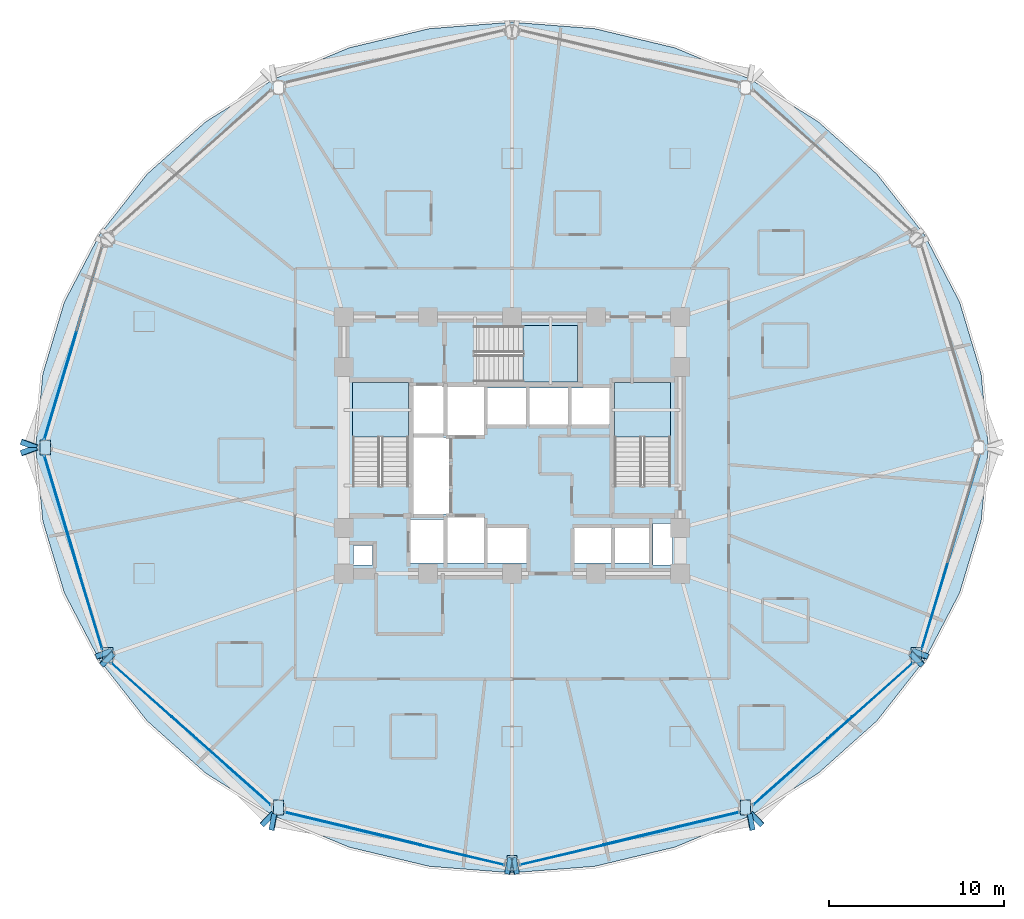
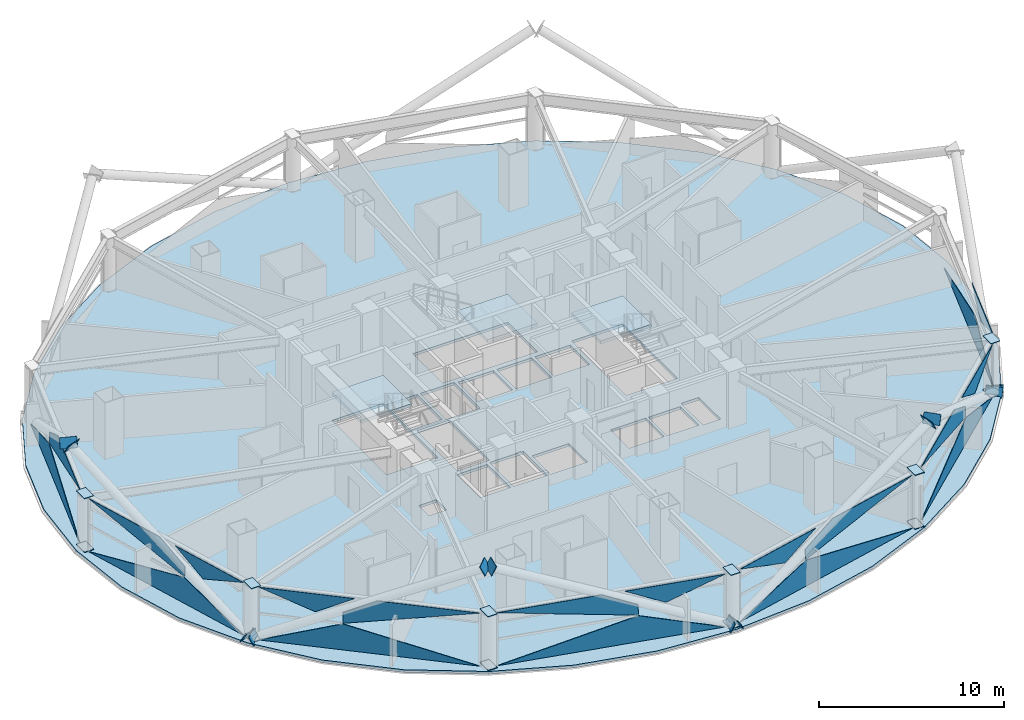
# One storey, part 21 of 30: 43 plates, 4 slabs, 10 elements without a shape of their own.
"""IFC4 building model written with IfcOpenShell, lengths in metres."""

from ifc_helpers import new_model, si_unit, direction, frame, origin, place, context, subcontext, project, spatial, polyline, outline, extrude, material, layer, layer_set, type_object, element, aggregate, save


model = new_model("IFC4")

# Units and contexts
model_context = context("Model", 3, precision=1e-05, world=origin(), true_north=direction((0.0, 1.0)))
body_context = subcontext(model_context, "Body", "Model", "MODEL_VIEW")
ifc_project = project(units=[si_unit("LENGTHUNIT", "METRE"), si_unit("AREAUNIT", "SQUARE_METRE"), si_unit("VOLUMEUNIT", "CUBIC_METRE"), si_unit("PLANEANGLEUNIT", "RADIAN"), si_unit("MASSUNIT", "GRAM", prefix="KILO")], contexts=[model_context])

# Site, building, storey
site_placement = place(None, origin())
site = spatial("IfcSite", under=ifc_project, at=site_placement, CompositionType="ELEMENT")
building_placement = place(site_placement, origin())
building = spatial("IfcBuilding", under=site, at=building_placement, Name="Vantalir Tower", CompositionType="ELEMENT")
storey_placement = place(building_placement, frame((0.0, 0.0, 49.5)))
storey = spatial("IfcBuildingStorey", under=building, at=storey_placement, Name="L11", CompositionType="ELEMENT", Elevation=49.5)

# Curtain wall, plates
ifc_material_1 = material(Name="Champagne-silver PVDF aluminium and double-silver Low-E glass", Category="aluminium")
ifc_layer_1 = layer(ifc_material_1, 0.18994140625)
ifc_layer_set_1 = layer_set([ifc_layer_1], Name="Champagne-silver PVDF aluminium and double-silver Low-E glass")
curtain_wall_type = type_object("IfcCurtainWallType", Name="CW-DIAMOND-Z1", PredefinedType="USERDEFINED", material=ifc_layer_set_1)
curtain_wall_1_placement = place(storey_placement, origin())
curtain_wall_1 = element("IfcCurtainWall", 1, at=curtain_wall_1_placement, inside=storey, type_object=curtain_wall_type, Name="L11 Quilted Pyramid-Diamond Curtain Wall S06", ObjectType="UNITISED CURTAIN WALL", PredefinedType="USERDEFINED")
ifc_material_2 = material(Name="Double-silver Low-E laminated glass IGU", Category="glass")
ifc_layer_2 = layer(ifc_material_2, 0.028076171875)
ifc_layer_set_2 = layer_set([ifc_layer_2], Name="Double-silver Low-E laminated glass IGU")
plate_type_1 = type_object("IfcPlateType", Name="CWP-IGU-28", PredefinedType="CURTAIN_PANEL", material=ifc_layer_set_2)
plate_1_placement = place(storey_placement, frame((8.12548828125, 36.49365234375, 0.046630859375), z_axis=(0.95758802022, -0.287810871385, 0.013787162279), x_axis=(-0.287837949678, -0.95767912908, -2.1198847e-05)))
plate_1 = element("IfcPlate", 2, at=plate_1_placement, type_object=plate_type_1, Name="CW-L11-S06 Pyramid Diamond Facet 1L", PredefinedType="CURTAIN_PANEL", context=body_context, shape_type="SweptSolid", body=[
    extrude(outline(polyline([(0.0, 0.0), (11.516693368469967, -4.960224939121183e-18), (4.3822184839677, -1.7268195281423935), (0.0, 0.0)])), origin(), (0.0, 0.0, -1.0), 0.028076171875),
])
plate_2_placement = place(storey_placement, frame((6.328369140625, 30.51416015625, 3.5234375), z_axis=(-0.957583801933, 0.287822602548, 0.01383516313), x_axis=(-0.2878495389, -0.957675644888, 4.6306967e-05)))
plate_2 = element("IfcPlate", 3, at=plate_2_placement, type_object=plate_type_1, Name="CW-L11-S06 Pyramid Diamond Facet 2U", PredefinedType="CURTAIN_PANEL", context=body_context, shape_type="SweptSolid", body=[
    extrude(outline(polyline([(0.0, 0.0), (5.272979411255292, 1.1384122811097797e-18), (-1.861538546736312, -1.7268857212815554), (-1.8615353364615557, -1.0459123062447386), (0.0, 0.0)])), origin(), (0.0, 0.0, -1.0), 0.028076171875),
])
aggregate(curtain_wall_1, [plate_1, plate_2])

curtain_wall_2_placement = place(storey_placement, origin())
curtain_wall_2 = element("IfcCurtainWall", 4, at=curtain_wall_2_placement, inside=storey, type_object=curtain_wall_type, Name="L11 Quilted Pyramid-Diamond Curtain Wall S07", ObjectType="UNITISED CURTAIN WALL", PredefinedType="USERDEFINED")
plate_3_placement = place(storey_placement, frame((4.810546875, 24.53564453125, 0.04638671875), z_axis=(0.95758802022, 0.287810871385, 0.013787162279), x_axis=(0.287837949678, -0.95767912908, 2.1198847e-05)))
plate_3 = element("IfcPlate", 5, at=plate_3_placement, type_object=plate_type_1, Name="CW-L11-S07 Pyramid Diamond Facet 1L", PredefinedType="CURTAIN_PANEL", context=body_context, shape_type="SweptSolid", body=[
    extrude(outline(polyline([(0.0, 0.0), (11.516693368469967, 4.960224939121183e-18), (7.134474884502269, -1.7268195281423935), (0.0, 0.0)])), origin(), (0.0, 0.0, -1.0), 0.028076171875),
])
plate_4_placement = place(storey_placement, frame((4.810546875, 24.53564453125, 3.523681640625), z_axis=(-0.957583801933, -0.287822602548, 0.01383516313), x_axis=(0.2878495389, -0.957675644888, -4.6306967e-05)))
plate_4 = element("IfcPlate", 6, at=plate_4_placement, type_object=plate_type_1, Name="CW-L11-S07 Pyramid Diamond Facet 2U", PredefinedType="CURTAIN_PANEL", context=body_context, shape_type="SweptSolid", body=[
    extrude(outline(polyline([(0.0, 0.0), (5.272979411255292, -1.1384122811097797e-18), (7.134514747716848, -1.0459123062447386), (7.134517957991605, -1.7268857212815554), (0.0, 0.0)])), origin(), (0.0, 0.0, -1.0), 0.028076171875),
])
plate_5_placement = place(storey_placement, frame((6.64404296875, 18.32373046875, 3.52392578125), z_axis=(-0.957588191156, -0.28780925806, 0.01380895121), x_axis=(0.287836702746, -0.957679504089, 0.0)))
plate_5 = element("IfcPlate", 7, at=plate_5_placement, type_object=plate_type_1, Name="CW-L11-S07 Pyramid Diamond Facet 2U Infill Light", PredefinedType="CURTAIN_PANEL", context=body_context, shape_type="SweptSolid", body=[
    extrude(outline(polyline([(0.0, 0.0), (5.039953487196752, 0.0), (2.0774181059940315, -1.1673476325182721), (0.0, 0.0)])), origin(), (0.0, 0.0, -1.0), 0.028076171875),
])
aggregate(curtain_wall_2, [plate_3, plate_4, plate_5])

curtain_wall_3_placement = place(storey_placement, origin())
curtain_wall_3 = element("IfcCurtainWall", 8, at=curtain_wall_3_placement, inside=storey, type_object=curtain_wall_type, Name="L11 Quilted Pyramid-Diamond Curtain Wall S08", ObjectType="UNITISED CURTAIN WALL", PredefinedType="USERDEFINED")
plate_6_placement = place(storey_placement, frame((8.626953125, 12.71923828125, 0.046630859375), z_axis=(0.665372937619, 0.746388040271, 0.01355533931), x_axis=(0.746456803677, -0.665433873381, -2.0035344e-05)))
plate_6 = element("IfcPlate", 9, at=plate_6_placement, type_object=plate_type_1, Name="CW-L11-S08 Pyramid Diamond Facet 1L", PredefinedType="CURTAIN_PANEL", context=body_context, shape_type="SweptSolid", body=[
    extrude(outline(polyline([(0.0, 0.0), (12.185497165828616, -1.2088854223213374e-17), (4.632465465344607, -1.7270581323679652), (0.0, 0.0)])), origin(), (0.0, 0.0, -1.0), 0.028076171875),
])
plate_7_placement = place(storey_placement, frame((13.499267578125, 8.3759765625, 3.523681640625), z_axis=(-0.665395031362, -0.746366235789, 0.013670929477), x_axis=(0.746435992054, -0.665457218584, 7.5259e-08)))
plate_7 = element("IfcPlate", 10, at=plate_7_placement, type_object=plate_type_1, Name="CW-L11-S08 Pyramid Diamond Facet 2U", PredefinedType="CURTAIN_PANEL", context=body_context, shape_type="SweptSolid", body=[
    extrude(outline(polyline([(0.0, 0.0), (5.65837142206165, 0.0), (-1.894625072008797, -1.7274562127020272), (-1.8947608539828198, -1.020846784373195), (0.0, 0.0)])), origin(), (0.0, 0.0, -1.0), 0.028076171875),
])
plate_8_placement = place(storey_placement, frame((8.605712890625, 12.6953125, 3.52392578125), z_axis=(-0.665351507979, -0.746407449705, 0.013538458388), x_axis=(0.746475863566, -0.665412492453, 0.0)))
plate_8 = element("IfcPlate", 11, at=plate_8_placement, type_object=plate_type_1, Name="CW-L11-S08 Pyramid Diamond Facet 2U Infill Light", PredefinedType="CURTAIN_PANEL", context=body_context, shape_type="SweptSolid", body=[
    extrude(outline(polyline([(0.0, 0.0), (5.285578319672261, 0.0), (3.1237193044857783, -1.1646575210956889), (0.0, 0.0)])), origin(), (0.0, 0.0, -1.0), 0.028076171875),
])
aggregate(curtain_wall_3, [plate_6, plate_7, plate_8])

curtain_wall_4_placement = place(storey_placement, origin())
curtain_wall_4 = element("IfcCurtainWall", 12, at=curtain_wall_4_placement, inside=storey, type_object=curtain_wall_type, Name="L11 Quilted Pyramid-Diamond Curtain Wall S09", ObjectType="UNITISED CURTAIN WALL", PredefinedType="USERDEFINED")
plate_9_placement = place(storey_placement, frame((18.556640625, 4.17529296875, 0.046142578125), z_axis=(0.232285713853, 0.972551192562, 0.013693976268), x_axis=(0.972642333461, -0.232307750187, 1.9040058e-05)))
plate_9 = element("IfcPlate", 13, at=plate_9_placement, type_object=plate_type_1, Name="CW-L11-S09 Pyramid Diamond Facet 1L", PredefinedType="CURTAIN_PANEL", context=body_context, shape_type="SweptSolid", body=[
    extrude(outline(polyline([(0.0, 0.0), (12.822472617576965, -7.670730370334944e-18), (7.9437987635103235, -1.7275497993928277), (0.0, 0.0)])), origin(), (0.0, 0.0, -1.0), 0.028076171875),
])
plate_10_placement = place(storey_placement, frame((18.556640625, 4.17529296875, 3.523681640625), z_axis=(-0.232292534661, -0.972549302658, 0.013712484807), x_axis=(0.97264075152, -0.232314374248, 2.05094e-07)))
plate_10 = element("IfcPlate", 14, at=plate_10_placement, type_object=plate_type_1, Name="CW-L11-S09 Pyramid Diamond Facet 2U", PredefinedType="CURTAIN_PANEL", context=body_context, shape_type="SweptSolid", body=[
    extrude(outline(polyline([(0.0, 0.0), (5.8949021910664525, 0.0), (7.943804426634692, -1.0433126126655532), (7.943765679126243, -1.7277019221765757), (0.0, 0.0)])), origin(), (0.0, 0.0, -1.0), 0.028076171875),
])
plate_11_placement = place(storey_placement, frame((25.547607421875, 2.47265625, 3.524169921875), z_axis=(-0.232260966211, -0.97255739166, 0.01367345977), x_axis=(0.972648182055, -0.232283258251, -4.3384994e-05)))
plate_11 = element("IfcPlate", 15, at=plate_11_placement, type_object=plate_type_1, Name="CW-L11-S09 Pyramid Diamond Facet 2U Infill Light", PredefinedType="CURTAIN_PANEL", context=body_context, shape_type="SweptSolid", body=[
    extrude(outline(polyline([(0.0, 0.0), (5.6273057132671, -4.607859233063394e-19), (2.3081248364915905, -1.1753027063647365), (0.0, 0.0)])), origin(), (0.0, 0.0, -1.0), 0.028076171875),
])
aggregate(curtain_wall_4, [plate_9, plate_10, plate_11])

curtain_wall_5_placement = place(storey_placement, origin())
curtain_wall_5 = element("IfcCurtainWall", 16, at=curtain_wall_5_placement, inside=storey, type_object=curtain_wall_type, Name="L11 Quilted Pyramid-Diamond Curtain Wall S10", ObjectType="UNITISED CURTAIN WALL", PredefinedType="USERDEFINED")
plate_12_placement = place(storey_placement, frame((31.9716796875, 1.196533203125, 0.04638671875), z_axis=(-0.232285713853, 0.972551192562, 0.013693976268), x_axis=(0.972642333461, 0.232307750187, -1.9040058e-05)))
plate_12 = element("IfcPlate", 17, at=plate_12_placement, type_object=plate_type_1, Name="CW-L11-S10 Pyramid Diamond Facet 1L", PredefinedType="CURTAIN_PANEL", context=body_context, shape_type="SweptSolid", body=[
    extrude(outline(polyline([(0.0, 0.0), (12.822472617576965, 7.670730370334944e-18), (4.8786738540666414, -1.727549799392828), (0.0, 0.0)])), origin(), (0.0, 0.0, -1.0), 0.028076171875),
])
plate_13_placement = place(storey_placement, frame((38.709716796875, 2.805908203125, 3.523681640625), z_axis=(0.232292534661, -0.972549302658, 0.013712484807), x_axis=(0.97264075152, 0.232314374248, -2.05094e-07)))
plate_13 = element("IfcPlate", 18, at=plate_13_placement, type_object=plate_type_1, Name="CW-L11-S10 Pyramid Diamond Facet 2U", PredefinedType="CURTAIN_PANEL", context=body_context, shape_type="SweptSolid", body=[
    extrude(outline(polyline([(0.0, 0.0), (5.8949021910664525, 0.0), (-2.048863488059791, -1.7277019221765757), (-2.0489022355682396, -1.0433126126655532), (0.0, 0.0)])), origin(), (0.0, 0.0, -1.0), 0.028076171875),
])
plate_14_placement = place(storey_placement, frame((31.97900390625, 1.16552734375, 3.52392578125), z_axis=(0.232260966211, -0.97255739166, 0.01367345977), x_axis=(0.972648182055, 0.232283258251, 4.3384994e-05)))
plate_14 = element("IfcPlate", 19, at=plate_14_placement, type_object=plate_type_1, Name="CW-L11-S10 Pyramid Diamond Facet 2U Infill Light", PredefinedType="CURTAIN_PANEL", context=body_context, shape_type="SweptSolid", body=[
    extrude(outline(polyline([(0.0, 0.0), (5.6273057132671, 4.607859233063394e-19), (3.31918087677551, -1.1753027063647363), (0.0, 0.0)])), origin(), (0.0, 0.0, -1.0), 0.028076171875),
])
aggregate(curtain_wall_5, [plate_12, plate_13, plate_14])

curtain_wall_6_placement = place(storey_placement, origin())
curtain_wall_6 = element("IfcCurtainWall", 20, at=curtain_wall_6_placement, inside=storey, type_object=curtain_wall_type, Name="L11 Quilted Pyramid-Diamond Curtain Wall S11", ObjectType="UNITISED CURTAIN WALL", PredefinedType="USERDEFINED")
plate_15_placement = place(storey_placement, frame((45.277099609375, 4.610595703125, 0.04638671875), z_axis=(-0.665372937619, 0.746388040271, 0.01355533931), x_axis=(0.746456803677, 0.665433873381, 2.0035344e-05)))
plate_15 = element("IfcPlate", 21, at=plate_15_placement, type_object=plate_type_1, Name="CW-L11-S11 Pyramid Diamond Facet 1L", PredefinedType="CURTAIN_PANEL", context=body_context, shape_type="SweptSolid", body=[
    extrude(outline(polyline([(0.0, 0.0), (12.185497165828616, 1.2088854223213374e-17), (7.553031700484008, -1.7270581323679652), (0.0, 0.0)])), origin(), (0.0, 0.0, -1.0), 0.028076171875),
])
plate_16_placement = place(storey_placement, frame((45.277099609375, 4.610595703125, 3.523681640625), z_axis=(0.665395031362, -0.746366235789, 0.013670929477), x_axis=(0.746435992054, 0.665457218584, -7.5259e-08)))
plate_16 = element("IfcPlate", 22, at=plate_16_placement, type_object=plate_type_1, Name="CW-L11-S11 Pyramid Diamond Facet 2U", PredefinedType="CURTAIN_PANEL", context=body_context, shape_type="SweptSolid", body=[
    extrude(outline(polyline([(0.0, 0.0), (5.65837142206165, 0.0), (7.5531322760444715, -1.020846784373195), (7.552996494070449, -1.7274562127020272), (0.0, 0.0)])), origin(), (0.0, 0.0, -1.0), 0.028076171875),
])
plate_17_placement = place(storey_placement, frame((50.44873046875, 9.17822265625, 3.52392578125), z_axis=(0.665351507979, -0.746407449705, 0.013538458388), x_axis=(0.746475863566, 0.665412492453, 0.0)))
plate_17 = element("IfcPlate", 23, at=plate_17_placement, type_object=plate_type_1, Name="CW-L11-S11 Pyramid Diamond Facet 2U Infill Light", PredefinedType="CURTAIN_PANEL", context=body_context, shape_type="SweptSolid", body=[
    extrude(outline(polyline([(0.0, 0.0), (5.285578319672261, 0.0), (2.161859015186483, -1.1646575210956889), (0.0, 0.0)])), origin(), (0.0, 0.0, -1.0), 0.028076171875),
])
aggregate(curtain_wall_6, [plate_15, plate_16, plate_17])

curtain_wall_7_placement = place(storey_placement, origin())
curtain_wall_7 = element("IfcCurtainWall", 24, at=curtain_wall_7_placement, inside=storey, type_object=curtain_wall_type, Name="L11 Quilted Pyramid-Diamond Curtain Wall S12", ObjectType="UNITISED CURTAIN WALL", PredefinedType="USERDEFINED")
plate_18_placement = place(storey_placement, frame((54.87451171875, 13.50634765625, 0.046630859375), z_axis=(-0.95758802022, 0.287810871385, 0.013787162279), x_axis=(0.287837949678, 0.95767912908, -2.1198847e-05)))
plate_18 = element("IfcPlate", 25, at=plate_18_placement, type_object=plate_type_1, Name="CW-L11-S12 Pyramid Diamond Facet 1L", PredefinedType="CURTAIN_PANEL", context=body_context, shape_type="SweptSolid", body=[
    extrude(outline(polyline([(0.0, 0.0), (11.516693368469967, -4.960224939121183e-18), (4.3822184839677, -1.7268195281423935), (0.0, 0.0)])), origin(), (0.0, 0.0, -1.0), 0.028076171875),
])
plate_19_placement = place(storey_placement, frame((54.9052734375, 13.4970703125, 3.52392578125), z_axis=(0.957588191156, -0.28780925806, 0.01380895121), x_axis=(0.287836702746, 0.957679504089, 0.0)))
plate_19 = element("IfcPlate", 26, at=plate_19_placement, type_object=plate_type_1, Name="CW-L11-S12 Pyramid Diamond Facet 2U Infill Light", PredefinedType="CURTAIN_PANEL", context=body_context, shape_type="SweptSolid", body=[
    extrude(outline(polyline([(0.0, 0.0), (5.039953487196752, 0.0), (2.96253538120272, -1.1673476325182721), (0.0, 0.0)])), origin(), (0.0, 0.0, -1.0), 0.028076171875),
])
aggregate(curtain_wall_7, [plate_18, plate_19])

# Plates
ifc_material_3 = material(Name="Steel S460", Category="steel")
ifc_layer_3 = layer(ifc_material_3, 0.0400390625)
ifc_layer_set_3 = layer_set([ifc_layer_3], Name="Steel S460")
plate_type_2 = type_object("IfcPlateType", Name="PLT-KN-Z1", PredefinedType="USERDEFINED", material=ifc_layer_set_3)
plate_20_placement = place(storey_placement, frame((3.41748046875, 25.175537109375, 6.877685546875), z_axis=(-0.301384968398, -0.818108936522, 0.489760011442), x_axis=(0.938351892544, -0.345681538064, 0.0)))
element("IfcPlate", 27, at=plate_20_placement, inside=storey, type_object=plate_type_2, Name="Node Cap Plate MEM-DG-L11-R16L End", ObjectType="FLANGE_PLATE", PredefinedType="USERDEFINED", context=body_context, shape_type="SweptSolid", body=[
    extrude(outline(polyline([(0.0, 0.0), (0.9499180733339312, 2.7755575615628914e-17), (0.9499378386838401, 0.6199722718301548), (1.9765349908911505e-05, 0.6199722718301547), (0.0, 0.0)])), origin(), (0.0, 0.0, -1.0), 0.0400390625),
])
plate_21_placement = place(storey_placement, frame((8.176025390625, 12.4599609375, -0.084716796875), z_axis=(0.623533153725, -0.621384209426, 0.474434474382), x_axis=(0.705870680776, 0.708340723513, 3.7874099e-05)))
element("IfcPlate", 28, at=plate_21_placement, inside=storey, type_object=plate_type_2, Name="Node Cap Plate MEM-DG-L11-R22L Start", ObjectType="FLANGE_PLATE", PredefinedType="USERDEFINED", context=body_context, shape_type="SweptSolid", body=[
    extrude(outline(polyline([(0.0, 0.0), (0.9501763024453027, 0.0), (0.9501925555938695, 0.619815970680791), (0.000189187895518321, 0.6198977250190866), (0.0, 0.0)])), origin(), (0.0, 0.0, -1.0), 0.0400390625),
])
plate_22_placement = place(storey_placement, frame((17.33056640625, 3.336669921875, 6.8779296875), z_axis=(0.623580642481, -0.621544276087, 0.474162308905), x_axis=(0.705949384031, 0.708262287, 0.0)))
element("IfcPlate", 29, at=plate_22_placement, inside=storey, type_object=plate_type_2, Name="Node Cap Plate MEM-DG-L11-R22L End", ObjectType="FLANGE_PLATE", PredefinedType="USERDEFINED", context=body_context, shape_type="SweptSolid", body=[
    extrude(outline(polyline([(0.0, 0.0), (0.9500033742443192, 2.7755575615628914e-17), (0.9499662940127988, 0.6200309141652494), (-3.708023152051987e-05, 0.6200309141652494), (0.0, 0.0)])), origin(), (0.0, 0.0, -1.0), 0.0400390625),
])
plate_23_placement = place(storey_placement, frame((8.589599609375, 13.53515625, -0.07861328125), z_axis=(-0.301312301035, 0.818135705115, 0.489760007821), x_axis=(-0.938382593309, -0.345598189485, 0.0)))
element("IfcPlate", 30, at=plate_23_placement, inside=storey, type_object=plate_type_2, Name="Node Cap Plate MEM-DG-L11-R22R Start", ObjectType="FLANGE_PLATE", PredefinedType="USERDEFINED", context=body_context, shape_type="SweptSolid", body=[
    extrude(outline(polyline([(0.0, 0.0), (0.9501471668995506, 2.7755575615628914e-17), (0.9501004315495916, 0.6199722703837001), (-4.6735349959082504e-05, 0.6199722703837), (0.0, 0.0)])), origin(), (0.0, 0.0, -1.0), 0.0400390625),
])
plate_24_placement = place(storey_placement, frame((4.308837890625, 25.15283203125, 6.877685546875), z_axis=(-0.301384968398, 0.818108936522, 0.489760011442), x_axis=(-0.938351892544, -0.345681538064, 0.0)))
element("IfcPlate", 31, at=plate_24_placement, inside=storey, type_object=plate_type_2, Name="Node Cap Plate MEM-DG-L11-R22R End", ObjectType="FLANGE_PLATE", PredefinedType="USERDEFINED", context=body_context, shape_type="SweptSolid", body=[
    extrude(outline(polyline([(0.0, 0.0), (0.9499180733339312, -2.7755575615628914e-17), (0.9498983079840222, 0.6199722718301547), (-1.9765349908911505e-05, 0.6199722718301547), (0.0, 0.0)])), origin(), (0.0, 0.0, -1.0), 0.0400390625),
])
plate_25_placement = place(storey_placement, frame((31.925048828125, 0.679931640625, -0.0927734375), z_axis=(0.87601662316, 0.163251398932, 0.453810375261), x_axis=(-0.183202462322, 0.983075204549, 0.0)))
element("IfcPlate", 32, at=plate_25_placement, inside=storey, type_object=plate_type_2, Name="Node Cap Plate MEM-DG-L11-R28L Start", ObjectType="FLANGE_PLATE", PredefinedType="USERDEFINED", context=body_context, shape_type="SweptSolid", body=[
    extrude(outline(polyline([(0.0, 0.0), (0.950163351621155, 0.0), (0.9501974145241893, 0.6200104379416387), (3.40629030343223e-05, 0.6200104379416387), (0.0, 0.0)])), origin(), (0.0, 0.0, -1.0), 0.0400390625),
])
plate_26_placement = place(storey_placement, frame((45.381591796875, 3.188232421875, 6.87841796875), z_axis=(0.875998439314, 0.163269347074, 0.453839018404), x_axis=(-0.183230370957, 0.983070003137, 9.521996e-06)))
element("IfcPlate", 33, at=plate_26_placement, inside=storey, type_object=plate_type_2, Name="Node Cap Plate MEM-DG-L11-R28L End", ObjectType="FLANGE_PLATE", PredefinedType="USERDEFINED", context=body_context, shape_type="SweptSolid", body=[
    extrude(outline(polyline([(0.0, 0.0), (0.9499233438702049, 1.3877787807814457e-17), (0.9499706553713583, 0.6200104367518885), (-0.00019269582383134445, 0.6200307408126673), (0.0, 0.0)])), origin(), (0.0, 0.0, -1.0), 0.0400390625),
])
plate_27_placement = place(storey_placement, frame((31.2490234375, 1.614013671875, -0.0927734375), z_axis=(-0.87601662316, 0.163251398932, 0.453810375261), x_axis=(-0.183202462322, -0.983075204549, 0.0)))
element("IfcPlate", 34, at=plate_27_placement, inside=storey, type_object=plate_type_2, Name="Node Cap Plate MEM-DG-L11-R28R Start", ObjectType="FLANGE_PLATE", PredefinedType="USERDEFINED", context=body_context, shape_type="SweptSolid", body=[
    extrude(outline(polyline([(0.0, 0.0), (0.950163351621155, 0.0), (0.9501292887181206, 0.6200104379416387), (-3.40629030343223e-05, 0.6200104379416387), (0.0, 0.0)])), origin(), (0.0, 0.0, -1.0), 0.0400390625),
])
plate_28_placement = place(storey_placement, frame((17.79248046875, 4.1220703125, 6.87841796875), z_axis=(-0.875998439314, 0.163269347074, 0.453839018404), x_axis=(-0.183230370957, -0.983070003137, -9.521996e-06)))
element("IfcPlate", 35, at=plate_28_placement, inside=storey, type_object=plate_type_2, Name="Node Cap Plate MEM-DG-L11-R28R End", ObjectType="FLANGE_PLATE", PredefinedType="USERDEFINED", context=body_context, shape_type="SweptSolid", body=[
    extrude(outline(polyline([(0.0, 0.0), (0.9499233438702049, -1.3877787807814457e-17), (0.9501160396940362, 0.6200307408126673), (-4.7311501153340955e-05, 0.6200104367518884), (0.0, 0.0)])), origin(), (0.0, 0.0, -1.0), 0.0400390625),
])
plate_29_placement = place(storey_placement, frame((55.302001953125, 13.206787109375, -0.07861328125), z_axis=(0.301312301035, 0.818135705115, 0.489760007821), x_axis=(-0.938382593309, 0.345598189485, 0.0)))
element("IfcPlate", 36, at=plate_29_placement, inside=storey, type_object=plate_type_2, Name="Node Cap Plate MEM-DG-L11-R34L Start", ObjectType="FLANGE_PLATE", PredefinedType="USERDEFINED", context=body_context, shape_type="SweptSolid", body=[
    extrude(outline(polyline([(0.0, 0.0), (0.9501471668995506, -2.7755575615628914e-17), (0.9501939022495096, 0.6199722703837), (4.6735349959082504e-05, 0.6199722703837), (0.0, 0.0)])), origin(), (0.0, 0.0, -1.0), 0.0400390625),
])
plate_30_placement = place(storey_placement, frame((54.1533203125, 13.133056640625, -0.084716796875), z_axis=(-0.623533153725, -0.621384209426, 0.474434474382), x_axis=(0.705870680776, -0.708340723513, -3.7874099e-05)))
element("IfcPlate", 37, at=plate_30_placement, inside=storey, type_object=plate_type_2, Name="Node Cap Plate MEM-DG-L11-R34R Start", ObjectType="FLANGE_PLATE", PredefinedType="USERDEFINED", context=body_context, shape_type="SweptSolid", body=[
    extrude(outline(polyline([(0.0, 0.0), (0.9501763024453027, 0.0), (0.9499871145497844, 0.6198977250190867), (-1.625314856689013e-05, 0.619815970680791), (0.0, 0.0)])), origin(), (0.0, 0.0, -1.0), 0.0400390625),
])
plate_31_placement = place(storey_placement, frame((44.998779296875, 4.009521484375, 6.8779296875), z_axis=(-0.623580642481, -0.621544276087, 0.474162308905), x_axis=(0.705949384031, -0.708262287, 0.0)))
element("IfcPlate", 38, at=plate_31_placement, inside=storey, type_object=plate_type_2, Name="Node Cap Plate MEM-DG-L11-R34R End", ObjectType="FLANGE_PLATE", PredefinedType="USERDEFINED", context=body_context, shape_type="SweptSolid", body=[
    extrude(outline(polyline([(0.0, 0.0), (0.9500033742443192, -2.7755575615628914e-17), (0.9500404544758398, 0.6200309141652494), (3.708023152051987e-05, 0.6200309141652494), (0.0, 0.0)])), origin(), (0.0, 0.0, -1.0), 0.0400390625),
])
ifc_layer_4 = layer(ifc_material_3, 0.035888671875)
ifc_layer_set_4 = layer_set([ifc_layer_4], Name="Steel S460")
plate_type_3 = type_object("IfcPlateType", Name="PLT-KN-Z2", PredefinedType="USERDEFINED", material=ifc_layer_set_4)
for number, where, z_axis, x_axis, name in (
    (39, (4.571044921875, 25.43994140625, 3.597900390625), (0.0, 0.0, 1.0), (0.0, -1.0, 0.0), "L11 Ring Column Top Cap RC07"),
    (40, (4.571044921875, 25.43994140625, 0.052978515625), (0.0, 0.0, 1.0), (0.0, -1.0, 0.0), "L11 Ring Column Base Cap RC07"),
):
    element("IfcPlate", number, at=place(storey_placement, frame(where, z_axis=z_axis, x_axis=x_axis)), inside=storey, type_object=plate_type_3, Name=name, ObjectType="FLANGE_PLATE", PredefinedType="USERDEFINED", context=body_context, shape_type="SweptSolid", body=[
        extrude(outline(polyline([(0.0, 0.0), (0.8798828125, 0.0), (0.8798828125, 0.579833984375), (0.0, 0.579833984375), (0.0, 0.0)])), origin(), (0.0, 0.0, -1.0), 0.035888671875),
    ])
for number, where, z_axis, x_axis, name in (
    (41, (8.139892578125, 13.576904296875, 3.597900390625), (0.0, 0.0, 1.0), (0.0, -1.0, 0.0), "L11 Ring Column Top Cap RC08"),
    (42, (8.139892578125, 13.576904296875, 0.052978515625), (0.0, 0.0, 1.0), (0.0, -1.0, 0.0), "L11 Ring Column Base Cap RC08"),
):
    element("IfcPlate", number, at=place(storey_placement, frame(where, z_axis=z_axis, x_axis=x_axis)), inside=storey, type_object=plate_type_3, Name=name, ObjectType="FLANGE_PLATE", PredefinedType="USERDEFINED", context=body_context, shape_type="SweptSolid", body=[
        extrude(outline(polyline([(0.0, 0.0), (0.8798828125, 0.0), (0.8798828125, 0.580078125), (0.0, 0.580078125), (0.0, 0.0)])), origin(), (0.0, 0.0, -1.0), 0.035888671875),
    ])
for number, where, z_axis, x_axis, name in (
    (43, (17.889892578125, 4.89306640625, 3.597900390625), (0.0, 0.0, 1.0), (0.0, -1.0, 0.0), "L11 Ring Column Top Cap RC09"),
    (44, (17.889892578125, 4.89306640625, 0.052978515625), (0.0, 0.0, 1.0), (0.0, -1.0, 0.0), "L11 Ring Column Base Cap RC09"),
    (45, (31.2099609375, 1.714111328125, 3.597900390625), (0.0, 0.0, 1.0), (0.0, -1.0, 0.0), "L11 Ring Column Top Cap RC10"),
    (46, (31.2099609375, 1.714111328125, 0.052978515625), (0.0, 0.0, 1.0), (0.0, -1.0, 0.0), "L11 Ring Column Base Cap RC10"),
    (47, (44.530029296875, 4.89306640625, 3.597900390625), (0.0, 0.0, 1.0), (0.0, -1.0, 0.0), "L11 Ring Column Top Cap RC11"),
    (48, (44.530029296875, 4.89306640625, 0.052978515625), (0.0, 0.0, 1.0), (0.0, -1.0, 0.0), "L11 Ring Column Base Cap RC11"),
):
    element("IfcPlate", number, at=place(storey_placement, frame(where, z_axis=z_axis, x_axis=x_axis)), inside=storey, type_object=plate_type_3, Name=name, ObjectType="FLANGE_PLATE", PredefinedType="USERDEFINED", context=body_context, shape_type="SweptSolid", body=[
        extrude(outline(polyline([(0.0, 0.0), (0.880126953125, 0.0), (0.880126953125, 0.580078125), (0.0, 0.580078125), (0.0, 0.0)])), origin(), (0.0, 0.0, -1.0), 0.035888671875),
    ])
for number, where, z_axis, x_axis, name in (
    (49, (54.280029296875, 13.576904296875, 3.597900390625), (0.0, 0.0, 1.0), (0.0, -1.0, 0.0), "L11 Ring Column Top Cap RC12"),
    (50, (54.280029296875, 13.576904296875, 0.052978515625), (0.0, 0.0, 1.0), (0.0, -1.0, 0.0), "L11 Ring Column Base Cap RC12"),
):
    element("IfcPlate", number, at=place(storey_placement, frame(where, z_axis=z_axis, x_axis=x_axis)), inside=storey, type_object=plate_type_3, Name=name, ObjectType="FLANGE_PLATE", PredefinedType="USERDEFINED", context=body_context, shape_type="SweptSolid", body=[
        extrude(outline(polyline([(0.0, 0.0), (0.8798828125, 0.0), (0.8798828125, 0.580078125), (0.0, 0.580078125), (0.0, 0.0)])), origin(), (0.0, 0.0, -1.0), 0.035888671875),
    ])

# Stair, slab
ifc_material_4 = material(Name="Concrete C40/50", Category="concrete")
stair_type = type_object("IfcStairType", Name="STR-CORE-1450", PredefinedType="HALF_TURN_STAIR", material=ifc_material_4)
stair_1_placement = place(storey_placement, origin())
stair_1 = element("IfcStair", 51, at=stair_1_placement, inside=storey, type_object=stair_type, Name="L11 Core Exit Stair 1", PredefinedType="HALF_TURN_STAIR")
ifc_layer_5 = layer(ifc_material_4, 0.199951171875)
ifc_layer_set_5 = layer_set([ifc_layer_5], Name="Concrete C40/50")
slab_type_1 = type_object("IfcSlabType", Name="SL-LAND-200", PredefinedType="LANDING", material=ifc_layer_set_5)
slab_1_placement = place(storey_placement, frame((0.0, 0.0, 1.675048828125)))
slab_1 = element("IfcSlab", 52, at=slab_1_placement, type_object=slab_type_1, Name="ST1 landing 1", PredefinedType="LANDING", context=body_context, shape_type="SweptSolid", body=[
    extrude(outline(polyline([(25.60009765625, 25.590087890625), (25.60009765625, 28.699951171875), (22.39990234375, 28.699951171875), (22.39990234375, 25.590087890625), (25.60009765625, 25.590087890625)])), origin(), (0.0, 0.0, 1.0), 0.199951171875),
])
aggregate(stair_1, [slab_1])

stair_2_placement = place(storey_placement, origin())
stair_2 = element("IfcStair", 53, at=stair_2_placement, inside=storey, type_object=stair_type, Name="L11 Core Exit Stair 2", PredefinedType="HALF_TURN_STAIR")
slab_2_placement = place(storey_placement, frame((0.0, 0.0, 1.675048828125)))
slab_2 = element("IfcSlab", 54, at=slab_2_placement, type_object=slab_type_1, Name="ST2 landing 1", PredefinedType="LANDING", context=body_context, shape_type="SweptSolid", body=[
    extrude(outline(polyline([(40.550048828125, 25.590087890625), (40.550048828125, 28.699951171875), (37.35009765625, 28.699951171875), (37.35009765625, 25.590087890625), (40.550048828125, 25.590087890625)])), origin(), (0.0, 0.0, 1.0), 0.199951171875),
])
aggregate(stair_2, [slab_2])

stair_3_placement = place(storey_placement, origin())
stair_3 = element("IfcStair", 55, at=stair_3_placement, inside=storey, type_object=stair_type, Name="L11 Core Exit Stair 3", PredefinedType="HALF_TURN_STAIR")
slab_3_placement = place(storey_placement, frame((0.0, 0.0, 1.675048828125)))
slab_3 = element("IfcSlab", 56, at=slab_3_placement, type_object=slab_type_1, Name="ST3 landing 1", PredefinedType="LANDING", context=body_context, shape_type="SweptSolid", body=[
    extrude(outline(polyline([(32.139892578125, 28.75), (35.25, 28.75), (35.25, 31.949951171875), (32.139892578125, 31.949951171875), (32.139892578125, 28.75)])), origin(), (0.0, 0.0, 1.0), 0.199951171875),
])
aggregate(stair_3, [slab_3])

# Slab
ifc_layer_6 = layer(ifc_material_4, 0.179931640625)
ifc_layer_set_6 = layer_set([ifc_layer_6], Name="Concrete C40/50")
slab_type_2 = type_object("IfcSlabType", Name="SL-TWR-180", PredefinedType="FLOOR", material=ifc_layer_set_6)
slab_4_placement = place(storey_placement, frame((0.0, 0.0, -0.179931640625)))
element("IfcSlab", 57, at=slab_4_placement, inside=storey, type_object=slab_type_2, Name="L11 Primary Structural Slab", PredefinedType="FLOOR", context=body_context, shape_type="SweptSolid", body=[
    extrude(outline(polyline([(7.9541015625, 12.862060546875), (10.672119140625, 9.39599609375), (14.02294921875, 6.404052734375), (17.905029296875, 3.97607421875), (22.200927734375, 2.18798828125), (26.779052734375, 1.093017578125), (31.5, 0.72412109375), (36.220947265625, 1.093017578125), (40.799072265625, 2.18798828125), (45.094970703125, 3.97607421875), (48.97705078125, 6.404052734375), (52.327880859375, 9.39599609375), (55.0458984375, 12.862060546875), (57.049072265625, 16.697021484375), (58.27587890625, 20.784912109375), (58.68896484375, 25.0), (58.27587890625, 29.215087890625), (57.049072265625, 33.302978515625), (55.0458984375, 37.137939453125), (52.327880859375, 40.60400390625), (48.97705078125, 43.595947265625), (45.094970703125, 46.02392578125), (40.799072265625, 47.81201171875), (36.220947265625, 48.906982421875), (31.5, 49.27587890625), (26.779052734375, 48.906982421875), (22.200927734375, 47.81201171875), (17.906005859375, 46.02392578125), (14.02294921875, 43.595947265625), (10.672119140625, 40.60400390625), (7.9541015625, 37.137939453125), (5.950927734375, 33.302978515625), (4.72412109375, 29.215087890625), (4.31103515625, 25.0), (4.72412109375, 20.784912109375), (5.950927734375, 16.697021484375), (7.9541015625, 12.862060546875)]), holes=[polyline([(22.39990234375, 22.7900390625), (22.39990234375, 28.699951171875), (25.60009765625, 28.699951171875), (25.60009765625, 22.7900390625), (22.39990234375, 22.7900390625)]), polyline([(37.35009765625, 28.699951171875), (40.550048828125, 28.699951171875), (40.550048828125, 22.7900390625), (37.35009765625, 22.7900390625), (37.35009765625, 28.699951171875)]), polyline([(35.25, 28.75), (29.340087890625, 28.75), (29.340087890625, 31.949951171875), (35.25, 31.949951171875), (35.25, 28.75)]), polyline([(27.60009765625, 18.39990234375), (25.699951171875, 18.39990234375), (25.699951171875, 20.89990234375), (27.60009765625, 20.89990234375), (27.60009765625, 18.39990234375)]), polyline([(25.699951171875, 25.800048828125), (25.699951171875, 28.5), (27.60009765625, 28.5), (27.60009765625, 25.800048828125), (25.699951171875, 25.800048828125)]), polyline([(27.800048828125, 21.0), (29.89990234375, 21.0), (29.89990234375, 18.39990234375), (27.800048828125, 18.39990234375), (27.800048828125, 21.0)]), polyline([(29.89990234375, 28.5), (29.89990234375, 25.699951171875), (27.800048828125, 25.699951171875), (27.800048828125, 28.5), (29.89990234375, 28.5)]), polyline([(32.39990234375, 18.39990234375), (30.10009765625, 18.39990234375), (30.10009765625, 20.39990234375), (32.39990234375, 20.39990234375), (32.39990234375, 18.39990234375)]), polyline([(37.35009765625, 18.39990234375), (37.35009765625, 20.39990234375), (39.35009765625, 20.39990234375), (39.35009765625, 18.39990234375), (37.35009765625, 18.39990234375)]), polyline([(35.0, 20.39990234375), (37.199951171875, 20.39990234375), (37.199951171875, 18.39990234375), (35.0, 18.39990234375), (35.0, 20.39990234375)]), polyline([(32.300048828125, 28.39990234375), (32.300048828125, 26.300048828125), (30.10009765625, 26.300048828125), (30.10009765625, 28.39990234375), (32.300048828125, 28.39990234375)]), polyline([(34.699951171875, 26.300048828125), (32.5, 26.300048828125), (32.5, 28.39990234375), (34.699951171875, 28.39990234375), (34.699951171875, 26.300048828125)]), polyline([(34.89990234375, 26.300048828125), (34.89990234375, 28.39990234375), (37.10009765625, 28.39990234375), (37.10009765625, 26.300048828125), (34.89990234375, 26.300048828125)]), polyline([(25.889892578125, 25.56005859375), (27.89990234375, 25.56005859375), (27.89990234375, 21.199951171875), (25.889892578125, 21.199951171875), (25.889892578125, 25.56005859375)]), polyline([(23.550048828125, 19.39990234375), (23.550048828125, 18.300048828125), (22.449951171875, 18.300048828125), (22.449951171875, 19.39990234375), (23.550048828125, 19.39990234375)]), polyline([(40.64990234375, 18.300048828125), (39.550048828125, 18.300048828125), (39.550048828125, 20.64990234375), (40.64990234375, 20.64990234375), (40.64990234375, 18.300048828125)])]), origin(), (0.0, 0.0, 1.0), 0.179931640625),
])

save(model, "model.ifc")
